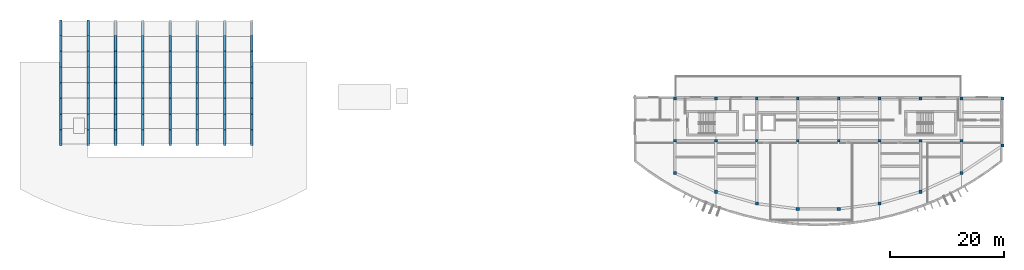
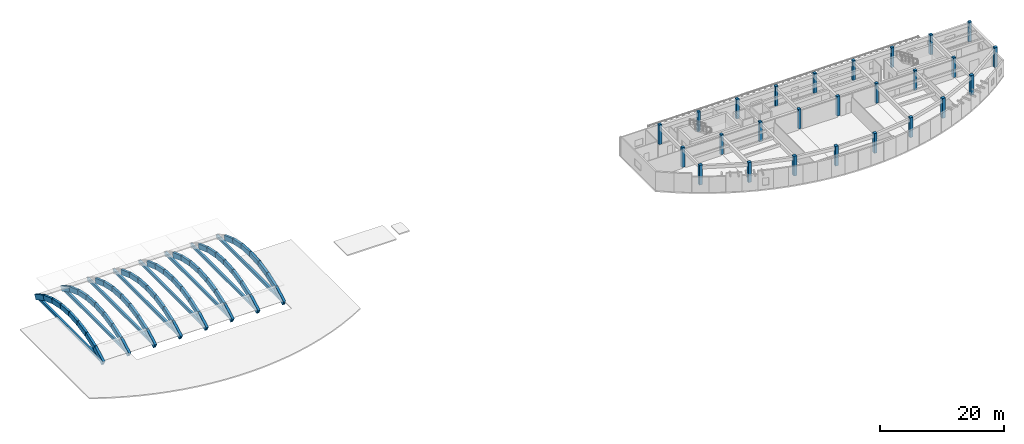
# One storey, part 1 of 11: 66 beams, 26 columns.
"""IFC4 building model written with IfcOpenShell, lengths in metres."""

from ifc_helpers import new_model, si_unit, direction, frame, origin, origin_2d, place, context, subcontext, project, spatial, rectangle, extrude, material, material_profile, profile_set, type_object, element, save


model = new_model("IFC4")

# Units and contexts
model_context = context("Model", 3, precision=1e-05, world=origin(), true_north=direction((0.0, 1.0)))
body_context = subcontext(model_context, "Body", "Model", "MODEL_VIEW")
ifc_project = project(units=[si_unit("LENGTHUNIT", "METRE"), si_unit("AREAUNIT", "SQUARE_METRE"), si_unit("VOLUMEUNIT", "CUBIC_METRE"), si_unit("PLANEANGLEUNIT", "RADIAN"), si_unit("MASSUNIT", "GRAM", prefix="KILO")], contexts=[model_context])

# Site, building, storey
site_placement = place(None, origin())
site = spatial("IfcSite", under=ifc_project, at=site_placement, CompositionType="ELEMENT")
building_placement = place(site_placement, origin())
building = spatial("IfcBuilding", under=site, at=building_placement, Name="Brisavento Harbour Community Centre", CompositionType="ELEMENT")
storey_placement = place(building_placement, frame((0.0, 0.0, 16.800048828125)))
storey = spatial("IfcBuildingStorey", under=building, at=storey_placement, Name="L04", CompositionType="ELEMENT", Elevation=16.800048828125)

# Columns
ifc_material_1 = material(Name="Concrete C35/45", Category="concrete")
ifc_material_profile_1 = material_profile(ifc_material_1, rectangle(XDim=0.5, YDim=0.5, at=origin_2d()), Name="Concrete C35/45")
ifc_profile_set_1 = profile_set([ifc_material_profile_1], Name="Concrete C35/45")
column_type_1 = type_object("IfcColumnType", Name="COL-RC-500", PredefinedType="COLUMN", material=ifc_profile_set_1)
for number, where, z_axis, x_axis, name in (
    (1, (115.199951171875, 15.0, 0.0), (0.0, 0.0, 1.0), (1.0, 0.0, 0.0), "L04 column V3M-115"),
    (2, (115.199951171875, 22.39990234375, 0.0), (0.0, 0.0, 1.0), (1.0, 0.0, 0.0), "L04 column V3N1-115"),
    (3, (122.39990234375, 15.0, 0.0), (0.0, 0.0, 1.0), (1.0, 0.0, 0.0), "L04 column V3M-122"),
    (4, (122.39990234375, 22.39990234375, 0.0), (0.0, 0.0, 1.0), (1.0, 0.0, 0.0), "L04 column V3N1-122"),
    (5, (129.60009765625, 15.0, 0.0), (0.0, 0.0, 1.0), (1.0, 0.0, 0.0), "L04 column V3M-129"),
    (6, (129.60009765625, 22.39990234375, 0.0), (0.0, 0.0, 1.0), (1.0, 0.0, 0.0), "L04 column V3N1-129"),
    (7, (136.800048828125, 15.0, 0.0), (0.0, 0.0, 1.0), (1.0, 0.0, 0.0), "L04 column V3M-136"),
    (8, (136.800048828125, 22.39990234375, 0.0), (0.0, 0.0, 1.0), (1.0, 0.0, 0.0), "L04 column V3N1-136"),
    (9, (144.0, 15.0, 0.0), (0.0, 0.0, 1.0), (1.0, 0.0, 0.0), "L04 column V3M-144"),
    (10, (144.0, 22.39990234375, 0.0), (0.0, 0.0, 1.0), (1.0, 0.0, 0.0), "L04 column V3N1-144"),
    (11, (151.199951171875, 15.0, 0.0), (0.0, 0.0, 1.0), (1.0, 0.0, 0.0), "L04 column V3M-151"),
    (12, (151.199951171875, 22.39990234375, 0.0), (0.0, 0.0, 1.0), (1.0, 0.0, 0.0), "L04 column V3N1-151"),
    (13, (158.39990234375, 15.0, 0.0), (0.0, 0.0, 1.0), (1.0, 0.0, 0.0), "L04 column V3M-158"),
    (14, (158.39990234375, 22.39990234375, 0.0), (0.0, 0.0, 1.0), (1.0, 0.0, 0.0), "L04 column V3N1-158"),
    (15, (165.60009765625, 15.0, 0.0), (0.0, 0.0, 1.0), (1.0, 0.0, 0.0), "L04 column V3M-165"),
    (16, (165.60009765625, 22.39990234375, 0.0), (0.0, 0.0, 1.0), (1.0, 0.0, 0.0), "L04 column V3N1-165"),
    (17, (172.800048828125, 22.39990234375, 0.0), (0.0, 0.0, 1.0), (1.0, 0.0, 0.0), "L04 column V3N1-172"),
):
    element("IfcColumn", number, at=place(storey_placement, frame(where, z_axis=z_axis, x_axis=x_axis)), inside=storey, type_object=column_type_1, Name=name, PredefinedType="COLUMN", context=body_context, shape_type="SweptSolid", body=[
        extrude(rectangle(XDim=0.5, YDim=0.5, at=origin_2d()), origin(), (0.0, 0.0, 1.0), 3.89990234375),
    ])
ifc_material_profile_2 = material_profile(ifc_material_1, rectangle(XDim=0.550048828125, YDim=0.550048828125, at=origin_2d()), Name="Concrete C35/45")
ifc_profile_set_2 = profile_set([ifc_material_profile_2], Name="Concrete C35/45")
column_type_2 = type_object("IfcColumnType", Name="COL-RC-550", PredefinedType="COLUMN", material=ifc_profile_set_2)
for number, where, z_axis, x_axis, name in (
    (18, (115.199951171875, 9.31396484375, 0.0), (0.0, 0.0, 1.0), (1.0, 0.0, 0.0), "L04 column V3S-115"),
    (19, (122.39990234375, 6.014892578125, 0.0), (0.0, 0.0, 1.0), (1.0, 0.0, 0.0), "L04 column V3S-122"),
    (20, (129.60009765625, 3.93408203125, 0.0), (0.0, 0.0, 1.0), (1.0, 0.0, 0.0), "L04 column V3S-129"),
    (21, (136.800048828125, 3.0, 0.0), (0.0, 0.0, 1.0), (1.0, 0.0, 0.0), "L04 column V3S-136"),
    (22, (144.0, 3.0, 0.0), (0.0, 0.0, 1.0), (1.0, 0.0, 0.0), "L04 column V3S-144"),
    (23, (151.199951171875, 3.93408203125, 0.0), (0.0, 0.0, 1.0), (1.0, 0.0, 0.0), "L04 column V3S-151"),
    (24, (158.39990234375, 6.014892578125, 0.0), (0.0, 0.0, 1.0), (1.0, 0.0, 0.0), "L04 column V3S-158"),
    (25, (165.60009765625, 9.31396484375, 0.0), (0.0, 0.0, 1.0), (1.0, 0.0, 0.0), "L04 column V3S-165"),
    (26, (172.800048828125, 14.1279296875, 0.0), (0.0, 0.0, 1.0), (1.0, 0.0, 0.0), "L04 column V3S-172"),
):
    element("IfcColumn", number, at=place(storey_placement, frame(where, z_axis=z_axis, x_axis=x_axis)), inside=storey, type_object=column_type_2, Name=name, PredefinedType="COLUMN", context=body_context, shape_type="SweptSolid", body=[
        extrude(rectangle(XDim=0.550048828125, YDim=0.550048828125, at=origin_2d()), origin(), (0.0, 0.0, 1.0), 3.89990234375),
    ])

# Beams
ifc_material_2 = material(Name="Concrete C40/50", Category="concrete")
ifc_material_profile_3 = material_profile(ifc_material_2, rectangle(XDim=0.449951171875, YDim=0.949951171875, at=origin_2d()), Name="Concrete C40/50")
ifc_profile_set_3 = profile_set([ifc_material_profile_3], Name="Concrete C40/50")
beam_type_1 = type_object("IfcBeamType", Name="BM-ARCH-450x950", PredefinedType="USERDEFINED", material=ifc_profile_set_3)
beam_1_placement = place(storey_placement, frame((7.199951171875, 14.39990234375, -0.47509765625), z_axis=(0.0, 0.878320118131, 0.478072975692), x_axis=(-1.0, 0.0, 0.0)))
element("IfcBeam", 27, at=beam_1_placement, inside=storey, type_object=beam_type_1, Name="Main Hall RC arch rib 01 chord 1", ObjectType="ARCH RIB", PredefinedType="USERDEFINED", context=body_context, shape_type="SweptSolid", body=[
    extrude(rectangle(XDim=0.449951171875, YDim=0.949951171875, at=origin_2d()), origin(), (0.0, 0.0, 1.0), 3.07421875),
])
beam_2_placement = place(storey_placement, frame((7.199951171875, 17.10009765625, 0.99462890625), z_axis=(0.0, 0.939914956899, 0.341408660988), x_axis=(-1.0, 0.0, 0.0)))
element("IfcBeam", 28, at=beam_2_placement, inside=storey, type_object=beam_type_1, Name="Main Hall RC arch rib 01 chord 2", ObjectType="ARCH RIB", PredefinedType="USERDEFINED", context=body_context, shape_type="SweptSolid", body=[
    extrude(rectangle(XDim=0.449951171875, YDim=0.949951171875, at=origin_2d()), origin(), (0.0, 0.0, 1.0), 2.87255859375),
])
beam_3_placement = place(storey_placement, frame((7.199951171875, 19.800048828125, 1.975341796875), z_axis=(0.0, 0.978802592709, 0.204805967947), x_axis=(-1.0, 0.0, 0.0)))
element("IfcBeam", 29, at=beam_3_placement, inside=storey, type_object=beam_type_1, Name="Main Hall RC arch rib 01 chord 3", ObjectType="ARCH RIB", PredefinedType="USERDEFINED", context=body_context, shape_type="SweptSolid", body=[
    extrude(rectangle(XDim=0.449951171875, YDim=0.949951171875, at=origin_2d()), origin(), (0.0, 0.0, 1.0), 2.75830078125),
])
for number, where, z_axis, x_axis, name in (
    (30, (7.199951171875, 22.5, 2.540283203125), (0.0, 0.997671571107, 0.068201438444), (-1.0, 0.0, 0.0), "Main Hall RC arch rib 01 chord 4"),
    (31, (7.199951171875, 25.199951171875, 2.724853515625), (0.0, 0.997671571107, -0.068201438444), (-1.0, 0.0, 0.0), "Main Hall RC arch rib 01 chord 5"),
):
    element("IfcBeam", number, at=place(storey_placement, frame(where, z_axis=z_axis, x_axis=x_axis)), inside=storey, type_object=beam_type_1, Name=name, ObjectType="ARCH RIB", PredefinedType="USERDEFINED", context=body_context, shape_type="SweptSolid", body=[
        extrude(rectangle(XDim=0.449951171875, YDim=0.949951171875, at=origin_2d()), origin(), (0.0, 0.0, 1.0), 2.706298828125),
    ])
beam_4_placement = place(storey_placement, frame((7.199951171875, 27.89990234375, 2.540283203125), z_axis=(0.0, 0.978806304709, -0.204788226862), x_axis=(-1.0, 0.0, 0.0)))
element("IfcBeam", 32, at=beam_4_placement, inside=storey, type_object=beam_type_1, Name="Main Hall RC arch rib 01 chord 6", ObjectType="ARCH RIB", PredefinedType="USERDEFINED", context=body_context, shape_type="SweptSolid", body=[
    extrude(rectangle(XDim=0.449951171875, YDim=0.949951171875, at=origin_2d()), origin(), (0.0, 0.0, 1.0), 2.758544921875),
])
beam_5_placement = place(storey_placement, frame((7.199951171875, 30.60009765625, 1.975341796875), z_axis=(0.0, 0.939914956899, -0.341408660988), x_axis=(-1.0, 0.0, 0.0)))
element("IfcBeam", 33, at=beam_5_placement, inside=storey, type_object=beam_type_1, Name="Main Hall RC arch rib 01 chord 7", ObjectType="ARCH RIB", PredefinedType="USERDEFINED", context=body_context, shape_type="SweptSolid", body=[
    extrude(rectangle(XDim=0.449951171875, YDim=0.949951171875, at=origin_2d()), origin(), (0.0, 0.0, 1.0), 2.87255859375),
])
beam_6_placement = place(storey_placement, frame((7.199951171875, 33.300048828125, 0.99462890625), z_axis=(0.0, 0.878301965836, -0.478106323748), x_axis=(-1.0, 0.0, 0.0)))
element("IfcBeam", 34, at=beam_6_placement, inside=storey, type_object=beam_type_1, Name="Main Hall RC arch rib 01 chord 8", ObjectType="ARCH RIB", PredefinedType="USERDEFINED", context=body_context, shape_type="SweptSolid", body=[
    extrude(rectangle(XDim=0.449951171875, YDim=0.949951171875, at=origin_2d()), origin(), (0.0, 0.0, 1.0), 3.073974609375),
])
beam_7_placement = place(storey_placement, frame((12.0, 14.39990234375, -0.47509765625), z_axis=(0.0, 0.878320118131, 0.478072975692), x_axis=(-1.0, 0.0, 0.0)))
element("IfcBeam", 35, at=beam_7_placement, inside=storey, type_object=beam_type_1, Name="Main Hall RC arch rib 02 chord 1", ObjectType="ARCH RIB", PredefinedType="USERDEFINED", context=body_context, shape_type="SweptSolid", body=[
    extrude(rectangle(XDim=0.449951171875, YDim=0.949951171875, at=origin_2d()), origin(), (0.0, 0.0, 1.0), 3.07421875),
])
beam_8_placement = place(storey_placement, frame((12.0, 17.10009765625, 0.99462890625), z_axis=(0.0, 0.939914956899, 0.341408660988), x_axis=(-1.0, 0.0, 0.0)))
element("IfcBeam", 36, at=beam_8_placement, inside=storey, type_object=beam_type_1, Name="Main Hall RC arch rib 02 chord 2", ObjectType="ARCH RIB", PredefinedType="USERDEFINED", context=body_context, shape_type="SweptSolid", body=[
    extrude(rectangle(XDim=0.449951171875, YDim=0.949951171875, at=origin_2d()), origin(), (0.0, 0.0, 1.0), 2.87255859375),
])
beam_9_placement = place(storey_placement, frame((12.0, 19.800048828125, 1.975341796875), z_axis=(0.0, 0.978802592709, 0.204805967947), x_axis=(-1.0, 0.0, 0.0)))
element("IfcBeam", 37, at=beam_9_placement, inside=storey, type_object=beam_type_1, Name="Main Hall RC arch rib 02 chord 3", ObjectType="ARCH RIB", PredefinedType="USERDEFINED", context=body_context, shape_type="SweptSolid", body=[
    extrude(rectangle(XDim=0.449951171875, YDim=0.949951171875, at=origin_2d()), origin(), (0.0, 0.0, 1.0), 2.75830078125),
])
for number, where, z_axis, x_axis, name in (
    (38, (12.0, 22.5, 2.540283203125), (0.0, 0.997671571107, 0.068201438444), (-1.0, 0.0, 0.0), "Main Hall RC arch rib 02 chord 4"),
    (39, (12.0, 25.199951171875, 2.724853515625), (0.0, 0.997671571107, -0.068201438444), (-1.0, 0.0, 0.0), "Main Hall RC arch rib 02 chord 5"),
):
    element("IfcBeam", number, at=place(storey_placement, frame(where, z_axis=z_axis, x_axis=x_axis)), inside=storey, type_object=beam_type_1, Name=name, ObjectType="ARCH RIB", PredefinedType="USERDEFINED", context=body_context, shape_type="SweptSolid", body=[
        extrude(rectangle(XDim=0.449951171875, YDim=0.949951171875, at=origin_2d()), origin(), (0.0, 0.0, 1.0), 2.706298828125),
    ])
beam_10_placement = place(storey_placement, frame((12.0, 27.89990234375, 2.540283203125), z_axis=(0.0, 0.978806304709, -0.204788226862), x_axis=(-1.0, 0.0, 0.0)))
element("IfcBeam", 40, at=beam_10_placement, inside=storey, type_object=beam_type_1, Name="Main Hall RC arch rib 02 chord 6", ObjectType="ARCH RIB", PredefinedType="USERDEFINED", context=body_context, shape_type="SweptSolid", body=[
    extrude(rectangle(XDim=0.449951171875, YDim=0.949951171875, at=origin_2d()), origin(), (0.0, 0.0, 1.0), 2.758544921875),
])
beam_11_placement = place(storey_placement, frame((12.0, 30.60009765625, 1.975341796875), z_axis=(0.0, 0.939914956899, -0.341408660988), x_axis=(-1.0, 0.0, 0.0)))
element("IfcBeam", 41, at=beam_11_placement, inside=storey, type_object=beam_type_1, Name="Main Hall RC arch rib 02 chord 7", ObjectType="ARCH RIB", PredefinedType="USERDEFINED", context=body_context, shape_type="SweptSolid", body=[
    extrude(rectangle(XDim=0.449951171875, YDim=0.949951171875, at=origin_2d()), origin(), (0.0, 0.0, 1.0), 2.87255859375),
])
beam_12_placement = place(storey_placement, frame((12.0, 33.300048828125, 0.99462890625), z_axis=(0.0, 0.878301965836, -0.478106323748), x_axis=(-1.0, 0.0, 0.0)))
element("IfcBeam", 42, at=beam_12_placement, inside=storey, type_object=beam_type_1, Name="Main Hall RC arch rib 02 chord 8", ObjectType="ARCH RIB", PredefinedType="USERDEFINED", context=body_context, shape_type="SweptSolid", body=[
    extrude(rectangle(XDim=0.449951171875, YDim=0.949951171875, at=origin_2d()), origin(), (0.0, 0.0, 1.0), 3.073974609375),
])
beam_13_placement = place(storey_placement, frame((16.800048828125, 14.39990234375, -0.47509765625), z_axis=(0.0, 0.878320118131, 0.478072975692), x_axis=(-1.0, 0.0, 0.0)))
element("IfcBeam", 43, at=beam_13_placement, inside=storey, type_object=beam_type_1, Name="Main Hall RC arch rib 03 chord 1", ObjectType="ARCH RIB", PredefinedType="USERDEFINED", context=body_context, shape_type="SweptSolid", body=[
    extrude(rectangle(XDim=0.449951171875, YDim=0.949951171875, at=origin_2d()), origin(), (0.0, 0.0, 1.0), 3.07421875),
])
beam_14_placement = place(storey_placement, frame((16.800048828125, 17.10009765625, 0.99462890625), z_axis=(0.0, 0.939914956899, 0.341408660988), x_axis=(-1.0, 0.0, 0.0)))
element("IfcBeam", 44, at=beam_14_placement, inside=storey, type_object=beam_type_1, Name="Main Hall RC arch rib 03 chord 2", ObjectType="ARCH RIB", PredefinedType="USERDEFINED", context=body_context, shape_type="SweptSolid", body=[
    extrude(rectangle(XDim=0.449951171875, YDim=0.949951171875, at=origin_2d()), origin(), (0.0, 0.0, 1.0), 2.87255859375),
])
beam_15_placement = place(storey_placement, frame((16.800048828125, 19.800048828125, 1.975341796875), z_axis=(0.0, 0.978802592709, 0.204805967947), x_axis=(-1.0, 0.0, 0.0)))
element("IfcBeam", 45, at=beam_15_placement, inside=storey, type_object=beam_type_1, Name="Main Hall RC arch rib 03 chord 3", ObjectType="ARCH RIB", PredefinedType="USERDEFINED", context=body_context, shape_type="SweptSolid", body=[
    extrude(rectangle(XDim=0.449951171875, YDim=0.949951171875, at=origin_2d()), origin(), (0.0, 0.0, 1.0), 2.75830078125),
])
for number, where, z_axis, x_axis, name in (
    (46, (16.800048828125, 22.5, 2.540283203125), (0.0, 0.997671571107, 0.068201438444), (-1.0, 0.0, 0.0), "Main Hall RC arch rib 03 chord 4"),
    (47, (16.800048828125, 25.199951171875, 2.724853515625), (0.0, 0.997671571107, -0.068201438444), (-1.0, 0.0, 0.0), "Main Hall RC arch rib 03 chord 5"),
):
    element("IfcBeam", number, at=place(storey_placement, frame(where, z_axis=z_axis, x_axis=x_axis)), inside=storey, type_object=beam_type_1, Name=name, ObjectType="ARCH RIB", PredefinedType="USERDEFINED", context=body_context, shape_type="SweptSolid", body=[
        extrude(rectangle(XDim=0.449951171875, YDim=0.949951171875, at=origin_2d()), origin(), (0.0, 0.0, 1.0), 2.706298828125),
    ])
beam_16_placement = place(storey_placement, frame((16.800048828125, 27.89990234375, 2.540283203125), z_axis=(0.0, 0.978806304709, -0.204788226862), x_axis=(-1.0, 0.0, 0.0)))
element("IfcBeam", 48, at=beam_16_placement, inside=storey, type_object=beam_type_1, Name="Main Hall RC arch rib 03 chord 6", ObjectType="ARCH RIB", PredefinedType="USERDEFINED", context=body_context, shape_type="SweptSolid", body=[
    extrude(rectangle(XDim=0.449951171875, YDim=0.949951171875, at=origin_2d()), origin(), (0.0, 0.0, 1.0), 2.758544921875),
])
beam_17_placement = place(storey_placement, frame((16.800048828125, 30.60009765625, 1.975341796875), z_axis=(0.0, 0.939914956899, -0.341408660988), x_axis=(-1.0, 0.0, 0.0)))
element("IfcBeam", 49, at=beam_17_placement, inside=storey, type_object=beam_type_1, Name="Main Hall RC arch rib 03 chord 7", ObjectType="ARCH RIB", PredefinedType="USERDEFINED", context=body_context, shape_type="SweptSolid", body=[
    extrude(rectangle(XDim=0.449951171875, YDim=0.949951171875, at=origin_2d()), origin(), (0.0, 0.0, 1.0), 2.87255859375),
])
beam_18_placement = place(storey_placement, frame((21.60009765625, 14.39990234375, -0.47509765625), z_axis=(0.0, 0.878320118131, 0.478072975692), x_axis=(-1.0, 0.0, 0.0)))
element("IfcBeam", 50, at=beam_18_placement, inside=storey, type_object=beam_type_1, Name="Main Hall RC arch rib 04 chord 1", ObjectType="ARCH RIB", PredefinedType="USERDEFINED", context=body_context, shape_type="SweptSolid", body=[
    extrude(rectangle(XDim=0.449951171875, YDim=0.949951171875, at=origin_2d()), origin(), (0.0, 0.0, 1.0), 3.07421875),
])
beam_19_placement = place(storey_placement, frame((21.60009765625, 17.10009765625, 0.99462890625), z_axis=(0.0, 0.939914956899, 0.341408660988), x_axis=(-1.0, 0.0, 0.0)))
element("IfcBeam", 51, at=beam_19_placement, inside=storey, type_object=beam_type_1, Name="Main Hall RC arch rib 04 chord 2", ObjectType="ARCH RIB", PredefinedType="USERDEFINED", context=body_context, shape_type="SweptSolid", body=[
    extrude(rectangle(XDim=0.449951171875, YDim=0.949951171875, at=origin_2d()), origin(), (0.0, 0.0, 1.0), 2.87255859375),
])
beam_20_placement = place(storey_placement, frame((21.60009765625, 19.800048828125, 1.975341796875), z_axis=(0.0, 0.978802592709, 0.204805967947), x_axis=(-1.0, 0.0, 0.0)))
element("IfcBeam", 52, at=beam_20_placement, inside=storey, type_object=beam_type_1, Name="Main Hall RC arch rib 04 chord 3", ObjectType="ARCH RIB", PredefinedType="USERDEFINED", context=body_context, shape_type="SweptSolid", body=[
    extrude(rectangle(XDim=0.449951171875, YDim=0.949951171875, at=origin_2d()), origin(), (0.0, 0.0, 1.0), 2.75830078125),
])
for number, where, z_axis, x_axis, name in (
    (53, (21.60009765625, 22.5, 2.540283203125), (0.0, 0.997671571107, 0.068201438444), (-1.0, 0.0, 0.0), "Main Hall RC arch rib 04 chord 4"),
    (54, (21.60009765625, 25.199951171875, 2.724853515625), (0.0, 0.997671571107, -0.068201438444), (-1.0, 0.0, 0.0), "Main Hall RC arch rib 04 chord 5"),
):
    element("IfcBeam", number, at=place(storey_placement, frame(where, z_axis=z_axis, x_axis=x_axis)), inside=storey, type_object=beam_type_1, Name=name, ObjectType="ARCH RIB", PredefinedType="USERDEFINED", context=body_context, shape_type="SweptSolid", body=[
        extrude(rectangle(XDim=0.449951171875, YDim=0.949951171875, at=origin_2d()), origin(), (0.0, 0.0, 1.0), 2.706298828125),
    ])
beam_21_placement = place(storey_placement, frame((21.60009765625, 27.89990234375, 2.540283203125), z_axis=(0.0, 0.978806304709, -0.204788226862), x_axis=(-1.0, 0.0, 0.0)))
element("IfcBeam", 55, at=beam_21_placement, inside=storey, type_object=beam_type_1, Name="Main Hall RC arch rib 04 chord 6", ObjectType="ARCH RIB", PredefinedType="USERDEFINED", context=body_context, shape_type="SweptSolid", body=[
    extrude(rectangle(XDim=0.449951171875, YDim=0.949951171875, at=origin_2d()), origin(), (0.0, 0.0, 1.0), 2.758544921875),
])
beam_22_placement = place(storey_placement, frame((21.60009765625, 30.60009765625, 1.975341796875), z_axis=(0.0, 0.939914956899, -0.341408660988), x_axis=(-1.0, 0.0, 0.0)))
element("IfcBeam", 56, at=beam_22_placement, inside=storey, type_object=beam_type_1, Name="Main Hall RC arch rib 04 chord 7", ObjectType="ARCH RIB", PredefinedType="USERDEFINED", context=body_context, shape_type="SweptSolid", body=[
    extrude(rectangle(XDim=0.449951171875, YDim=0.949951171875, at=origin_2d()), origin(), (0.0, 0.0, 1.0), 2.87255859375),
])
beam_23_placement = place(storey_placement, frame((26.39990234375, 14.39990234375, -0.47509765625), z_axis=(0.0, 0.878320118131, 0.478072975692), x_axis=(-1.0, 0.0, 0.0)))
element("IfcBeam", 57, at=beam_23_placement, inside=storey, type_object=beam_type_1, Name="Main Hall RC arch rib 05 chord 1", ObjectType="ARCH RIB", PredefinedType="USERDEFINED", context=body_context, shape_type="SweptSolid", body=[
    extrude(rectangle(XDim=0.449951171875, YDim=0.949951171875, at=origin_2d()), origin(), (0.0, 0.0, 1.0), 3.07421875),
])
beam_24_placement = place(storey_placement, frame((26.39990234375, 17.10009765625, 0.99462890625), z_axis=(0.0, 0.939914956899, 0.341408660988), x_axis=(-1.0, 0.0, 0.0)))
element("IfcBeam", 58, at=beam_24_placement, inside=storey, type_object=beam_type_1, Name="Main Hall RC arch rib 05 chord 2", ObjectType="ARCH RIB", PredefinedType="USERDEFINED", context=body_context, shape_type="SweptSolid", body=[
    extrude(rectangle(XDim=0.449951171875, YDim=0.949951171875, at=origin_2d()), origin(), (0.0, 0.0, 1.0), 2.87255859375),
])
beam_25_placement = place(storey_placement, frame((26.39990234375, 19.800048828125, 1.975341796875), z_axis=(0.0, 0.978802592709, 0.204805967947), x_axis=(-1.0, 0.0, 0.0)))
element("IfcBeam", 59, at=beam_25_placement, inside=storey, type_object=beam_type_1, Name="Main Hall RC arch rib 05 chord 3", ObjectType="ARCH RIB", PredefinedType="USERDEFINED", context=body_context, shape_type="SweptSolid", body=[
    extrude(rectangle(XDim=0.449951171875, YDim=0.949951171875, at=origin_2d()), origin(), (0.0, 0.0, 1.0), 2.75830078125),
])
for number, where, z_axis, x_axis, name in (
    (60, (26.39990234375, 22.5, 2.540283203125), (0.0, 0.997671571107, 0.068201438444), (-1.0, 0.0, 0.0), "Main Hall RC arch rib 05 chord 4"),
    (61, (26.39990234375, 25.199951171875, 2.724853515625), (0.0, 0.997671571107, -0.068201438444), (-1.0, 0.0, 0.0), "Main Hall RC arch rib 05 chord 5"),
):
    element("IfcBeam", number, at=place(storey_placement, frame(where, z_axis=z_axis, x_axis=x_axis)), inside=storey, type_object=beam_type_1, Name=name, ObjectType="ARCH RIB", PredefinedType="USERDEFINED", context=body_context, shape_type="SweptSolid", body=[
        extrude(rectangle(XDim=0.449951171875, YDim=0.949951171875, at=origin_2d()), origin(), (0.0, 0.0, 1.0), 2.706298828125),
    ])
beam_26_placement = place(storey_placement, frame((26.39990234375, 27.89990234375, 2.540283203125), z_axis=(0.0, 0.978806304709, -0.204788226862), x_axis=(-1.0, 0.0, 0.0)))
element("IfcBeam", 62, at=beam_26_placement, inside=storey, type_object=beam_type_1, Name="Main Hall RC arch rib 05 chord 6", ObjectType="ARCH RIB", PredefinedType="USERDEFINED", context=body_context, shape_type="SweptSolid", body=[
    extrude(rectangle(XDim=0.449951171875, YDim=0.949951171875, at=origin_2d()), origin(), (0.0, 0.0, 1.0), 2.758544921875),
])
beam_27_placement = place(storey_placement, frame((26.39990234375, 30.60009765625, 1.975341796875), z_axis=(0.0, 0.939914956899, -0.341408660988), x_axis=(-1.0, 0.0, 0.0)))
element("IfcBeam", 63, at=beam_27_placement, inside=storey, type_object=beam_type_1, Name="Main Hall RC arch rib 05 chord 7", ObjectType="ARCH RIB", PredefinedType="USERDEFINED", context=body_context, shape_type="SweptSolid", body=[
    extrude(rectangle(XDim=0.449951171875, YDim=0.949951171875, at=origin_2d()), origin(), (0.0, 0.0, 1.0), 2.87255859375),
])
beam_28_placement = place(storey_placement, frame((31.199951171875, 14.39990234375, -0.47509765625), z_axis=(0.0, 0.878320118131, 0.478072975692), x_axis=(-1.0, 0.0, 0.0)))
element("IfcBeam", 64, at=beam_28_placement, inside=storey, type_object=beam_type_1, Name="Main Hall RC arch rib 06 chord 1", ObjectType="ARCH RIB", PredefinedType="USERDEFINED", context=body_context, shape_type="SweptSolid", body=[
    extrude(rectangle(XDim=0.449951171875, YDim=0.949951171875, at=origin_2d()), origin(), (0.0, 0.0, 1.0), 3.07421875),
])
beam_29_placement = place(storey_placement, frame((31.199951171875, 17.10009765625, 0.99462890625), z_axis=(0.0, 0.939914956899, 0.341408660988), x_axis=(-1.0, 0.0, 0.0)))
element("IfcBeam", 65, at=beam_29_placement, inside=storey, type_object=beam_type_1, Name="Main Hall RC arch rib 06 chord 2", ObjectType="ARCH RIB", PredefinedType="USERDEFINED", context=body_context, shape_type="SweptSolid", body=[
    extrude(rectangle(XDim=0.449951171875, YDim=0.949951171875, at=origin_2d()), origin(), (0.0, 0.0, 1.0), 2.87255859375),
])
beam_30_placement = place(storey_placement, frame((31.199951171875, 19.800048828125, 1.975341796875), z_axis=(0.0, 0.978802592709, 0.204805967947), x_axis=(-1.0, 0.0, 0.0)))
element("IfcBeam", 66, at=beam_30_placement, inside=storey, type_object=beam_type_1, Name="Main Hall RC arch rib 06 chord 3", ObjectType="ARCH RIB", PredefinedType="USERDEFINED", context=body_context, shape_type="SweptSolid", body=[
    extrude(rectangle(XDim=0.449951171875, YDim=0.949951171875, at=origin_2d()), origin(), (0.0, 0.0, 1.0), 2.75830078125),
])
for number, where, z_axis, x_axis, name in (
    (67, (31.199951171875, 22.5, 2.540283203125), (0.0, 0.997671571107, 0.068201438444), (-1.0, 0.0, 0.0), "Main Hall RC arch rib 06 chord 4"),
    (68, (31.199951171875, 25.199951171875, 2.724853515625), (0.0, 0.997671571107, -0.068201438444), (-1.0, 0.0, 0.0), "Main Hall RC arch rib 06 chord 5"),
):
    element("IfcBeam", number, at=place(storey_placement, frame(where, z_axis=z_axis, x_axis=x_axis)), inside=storey, type_object=beam_type_1, Name=name, ObjectType="ARCH RIB", PredefinedType="USERDEFINED", context=body_context, shape_type="SweptSolid", body=[
        extrude(rectangle(XDim=0.449951171875, YDim=0.949951171875, at=origin_2d()), origin(), (0.0, 0.0, 1.0), 2.706298828125),
    ])
beam_31_placement = place(storey_placement, frame((31.199951171875, 27.89990234375, 2.540283203125), z_axis=(0.0, 0.978806304709, -0.204788226862), x_axis=(-1.0, 0.0, 0.0)))
element("IfcBeam", 69, at=beam_31_placement, inside=storey, type_object=beam_type_1, Name="Main Hall RC arch rib 06 chord 6", ObjectType="ARCH RIB", PredefinedType="USERDEFINED", context=body_context, shape_type="SweptSolid", body=[
    extrude(rectangle(XDim=0.449951171875, YDim=0.949951171875, at=origin_2d()), origin(), (0.0, 0.0, 1.0), 2.758544921875),
])
beam_32_placement = place(storey_placement, frame((31.199951171875, 30.60009765625, 1.975341796875), z_axis=(0.0, 0.939914956899, -0.341408660988), x_axis=(-1.0, 0.0, 0.0)))
element("IfcBeam", 70, at=beam_32_placement, inside=storey, type_object=beam_type_1, Name="Main Hall RC arch rib 06 chord 7", ObjectType="ARCH RIB", PredefinedType="USERDEFINED", context=body_context, shape_type="SweptSolid", body=[
    extrude(rectangle(XDim=0.449951171875, YDim=0.949951171875, at=origin_2d()), origin(), (0.0, 0.0, 1.0), 2.87255859375),
])
beam_33_placement = place(storey_placement, frame((36.0, 14.39990234375, -0.47509765625), z_axis=(0.0, 0.878320118131, 0.478072975692), x_axis=(-1.0, 0.0, 0.0)))
element("IfcBeam", 71, at=beam_33_placement, inside=storey, type_object=beam_type_1, Name="Main Hall RC arch rib 07 chord 1", ObjectType="ARCH RIB", PredefinedType="USERDEFINED", context=body_context, shape_type="SweptSolid", body=[
    extrude(rectangle(XDim=0.449951171875, YDim=0.949951171875, at=origin_2d()), origin(), (0.0, 0.0, 1.0), 3.07421875),
])
beam_34_placement = place(storey_placement, frame((36.0, 17.10009765625, 0.99462890625), z_axis=(0.0, 0.939914956899, 0.341408660988), x_axis=(-1.0, 0.0, 0.0)))
element("IfcBeam", 72, at=beam_34_placement, inside=storey, type_object=beam_type_1, Name="Main Hall RC arch rib 07 chord 2", ObjectType="ARCH RIB", PredefinedType="USERDEFINED", context=body_context, shape_type="SweptSolid", body=[
    extrude(rectangle(XDim=0.449951171875, YDim=0.949951171875, at=origin_2d()), origin(), (0.0, 0.0, 1.0), 2.87255859375),
])
beam_35_placement = place(storey_placement, frame((36.0, 19.800048828125, 1.975341796875), z_axis=(0.0, 0.978802592709, 0.204805967947), x_axis=(-1.0, 0.0, 0.0)))
element("IfcBeam", 73, at=beam_35_placement, inside=storey, type_object=beam_type_1, Name="Main Hall RC arch rib 07 chord 3", ObjectType="ARCH RIB", PredefinedType="USERDEFINED", context=body_context, shape_type="SweptSolid", body=[
    extrude(rectangle(XDim=0.449951171875, YDim=0.949951171875, at=origin_2d()), origin(), (0.0, 0.0, 1.0), 2.75830078125),
])
for number, where, z_axis, x_axis, name in (
    (74, (36.0, 22.5, 2.540283203125), (0.0, 0.997671571107, 0.068201438444), (-1.0, 0.0, 0.0), "Main Hall RC arch rib 07 chord 4"),
    (75, (36.0, 25.199951171875, 2.724853515625), (0.0, 0.997671571107, -0.068201438444), (-1.0, 0.0, 0.0), "Main Hall RC arch rib 07 chord 5"),
):
    element("IfcBeam", number, at=place(storey_placement, frame(where, z_axis=z_axis, x_axis=x_axis)), inside=storey, type_object=beam_type_1, Name=name, ObjectType="ARCH RIB", PredefinedType="USERDEFINED", context=body_context, shape_type="SweptSolid", body=[
        extrude(rectangle(XDim=0.449951171875, YDim=0.949951171875, at=origin_2d()), origin(), (0.0, 0.0, 1.0), 2.706298828125),
    ])
beam_36_placement = place(storey_placement, frame((36.0, 27.89990234375, 2.540283203125), z_axis=(0.0, 0.978806304709, -0.204788226862), x_axis=(-1.0, 0.0, 0.0)))
element("IfcBeam", 76, at=beam_36_placement, inside=storey, type_object=beam_type_1, Name="Main Hall RC arch rib 07 chord 6", ObjectType="ARCH RIB", PredefinedType="USERDEFINED", context=body_context, shape_type="SweptSolid", body=[
    extrude(rectangle(XDim=0.449951171875, YDim=0.949951171875, at=origin_2d()), origin(), (0.0, 0.0, 1.0), 2.758544921875),
])
beam_37_placement = place(storey_placement, frame((36.0, 30.60009765625, 1.975341796875), z_axis=(0.0, 0.939914956899, -0.341408660988), x_axis=(-1.0, 0.0, 0.0)))
element("IfcBeam", 77, at=beam_37_placement, inside=storey, type_object=beam_type_1, Name="Main Hall RC arch rib 07 chord 7", ObjectType="ARCH RIB", PredefinedType="USERDEFINED", context=body_context, shape_type="SweptSolid", body=[
    extrude(rectangle(XDim=0.449951171875, YDim=0.949951171875, at=origin_2d()), origin(), (0.0, 0.0, 1.0), 2.87255859375),
])
beam_38_placement = place(storey_placement, frame((40.800048828125, 14.39990234375, -0.47509765625), z_axis=(0.0, 0.878320118131, 0.478072975692), x_axis=(-1.0, 0.0, 0.0)))
element("IfcBeam", 78, at=beam_38_placement, inside=storey, type_object=beam_type_1, Name="Main Hall RC arch rib 08 chord 1", ObjectType="ARCH RIB", PredefinedType="USERDEFINED", context=body_context, shape_type="SweptSolid", body=[
    extrude(rectangle(XDim=0.449951171875, YDim=0.949951171875, at=origin_2d()), origin(), (0.0, 0.0, 1.0), 3.07421875),
])
beam_39_placement = place(storey_placement, frame((40.800048828125, 17.10009765625, 0.99462890625), z_axis=(0.0, 0.939914956899, 0.341408660988), x_axis=(-1.0, 0.0, 0.0)))
element("IfcBeam", 79, at=beam_39_placement, inside=storey, type_object=beam_type_1, Name="Main Hall RC arch rib 08 chord 2", ObjectType="ARCH RIB", PredefinedType="USERDEFINED", context=body_context, shape_type="SweptSolid", body=[
    extrude(rectangle(XDim=0.449951171875, YDim=0.949951171875, at=origin_2d()), origin(), (0.0, 0.0, 1.0), 2.87255859375),
])
beam_40_placement = place(storey_placement, frame((40.800048828125, 19.800048828125, 1.975341796875), z_axis=(0.0, 0.978802592709, 0.204805967947), x_axis=(-1.0, 0.0, 0.0)))
element("IfcBeam", 80, at=beam_40_placement, inside=storey, type_object=beam_type_1, Name="Main Hall RC arch rib 08 chord 3", ObjectType="ARCH RIB", PredefinedType="USERDEFINED", context=body_context, shape_type="SweptSolid", body=[
    extrude(rectangle(XDim=0.449951171875, YDim=0.949951171875, at=origin_2d()), origin(), (0.0, 0.0, 1.0), 2.75830078125),
])
for number, where, z_axis, x_axis, name in (
    (81, (40.800048828125, 22.5, 2.540283203125), (0.0, 0.997671571107, 0.068201438444), (-1.0, 0.0, 0.0), "Main Hall RC arch rib 08 chord 4"),
    (82, (40.800048828125, 25.199951171875, 2.724853515625), (0.0, 0.997671571107, -0.068201438444), (-1.0, 0.0, 0.0), "Main Hall RC arch rib 08 chord 5"),
):
    element("IfcBeam", number, at=place(storey_placement, frame(where, z_axis=z_axis, x_axis=x_axis)), inside=storey, type_object=beam_type_1, Name=name, ObjectType="ARCH RIB", PredefinedType="USERDEFINED", context=body_context, shape_type="SweptSolid", body=[
        extrude(rectangle(XDim=0.449951171875, YDim=0.949951171875, at=origin_2d()), origin(), (0.0, 0.0, 1.0), 2.706298828125),
    ])
beam_41_placement = place(storey_placement, frame((40.800048828125, 27.89990234375, 2.540283203125), z_axis=(0.0, 0.978806304709, -0.204788226862), x_axis=(-1.0, 0.0, 0.0)))
element("IfcBeam", 83, at=beam_41_placement, inside=storey, type_object=beam_type_1, Name="Main Hall RC arch rib 08 chord 6", ObjectType="ARCH RIB", PredefinedType="USERDEFINED", context=body_context, shape_type="SweptSolid", body=[
    extrude(rectangle(XDim=0.449951171875, YDim=0.949951171875, at=origin_2d()), origin(), (0.0, 0.0, 1.0), 2.758544921875),
])
beam_42_placement = place(storey_placement, frame((40.800048828125, 30.60009765625, 1.975341796875), z_axis=(0.0, 0.939914956899, -0.341408660988), x_axis=(-1.0, 0.0, 0.0)))
element("IfcBeam", 84, at=beam_42_placement, inside=storey, type_object=beam_type_1, Name="Main Hall RC arch rib 08 chord 7", ObjectType="ARCH RIB", PredefinedType="USERDEFINED", context=body_context, shape_type="SweptSolid", body=[
    extrude(rectangle(XDim=0.449951171875, YDim=0.949951171875, at=origin_2d()), origin(), (0.0, 0.0, 1.0), 2.87255859375),
])
ifc_material_profile_4 = material_profile(ifc_material_2, rectangle(XDim=0.39990234375, YDim=0.550048828125, at=origin_2d()), Name="Concrete C40/50")
ifc_profile_set_4 = profile_set([ifc_material_profile_4], Name="Concrete C40/50")
beam_type_2 = type_object("IfcBeamType", Name="BM-TIE-400x550", PredefinedType="USERDEFINED", material=ifc_profile_set_4)
for number, where, z_axis, x_axis, name in (
    (85, (7.199951171875, 14.39990234375, -0.275146484375), (0.0, 1.0, 0.0), (-1.0, 0.0, 0.0), "Main Hall arch tension tie 01"),
    (86, (12.0, 14.39990234375, -0.275146484375), (0.0, 1.0, 0.0), (-1.0, 0.0, 0.0), "Main Hall arch tension tie 02"),
    (87, (16.800048828125, 14.39990234375, -0.275146484375), (0.0, 1.0, 0.0), (-1.0, 0.0, 0.0), "Main Hall arch tension tie 03"),
    (88, (21.60009765625, 14.39990234375, -0.275146484375), (0.0, 1.0, 0.0), (-1.0, 0.0, 0.0), "Main Hall arch tension tie 04"),
    (89, (26.39990234375, 14.39990234375, -0.275146484375), (0.0, 1.0, 0.0), (-1.0, 0.0, 0.0), "Main Hall arch tension tie 05"),
    (90, (31.199951171875, 14.39990234375, -0.275146484375), (0.0, 1.0, 0.0), (-1.0, 0.0, 0.0), "Main Hall arch tension tie 06"),
    (91, (36.0, 14.39990234375, -0.275146484375), (0.0, 1.0, 0.0), (-1.0, 0.0, 0.0), "Main Hall arch tension tie 07"),
    (92, (40.800048828125, 14.39990234375, -0.275146484375), (0.0, 1.0, 0.0), (-1.0, 0.0, 0.0), "Main Hall arch tension tie 08"),
):
    element("IfcBeam", number, at=place(storey_placement, frame(where, z_axis=z_axis, x_axis=x_axis)), inside=storey, type_object=beam_type_2, Name=name, ObjectType="TIE BEAM", PredefinedType="USERDEFINED", context=body_context, shape_type="SweptSolid", body=[
        extrude(rectangle(XDim=0.39990234375, YDim=0.550048828125, at=origin_2d()), origin(), (0.0, 0.0, 1.0), 21.60009765625),
    ])

save(model, "model.ifc")
